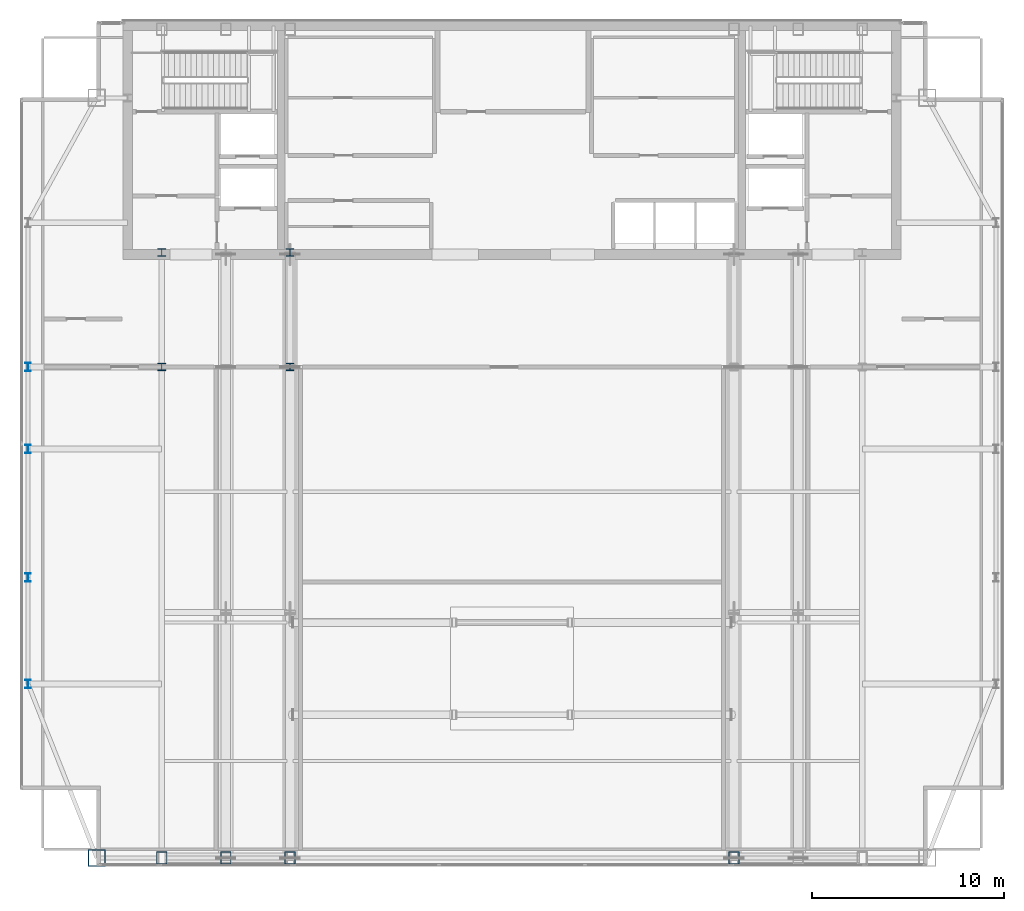
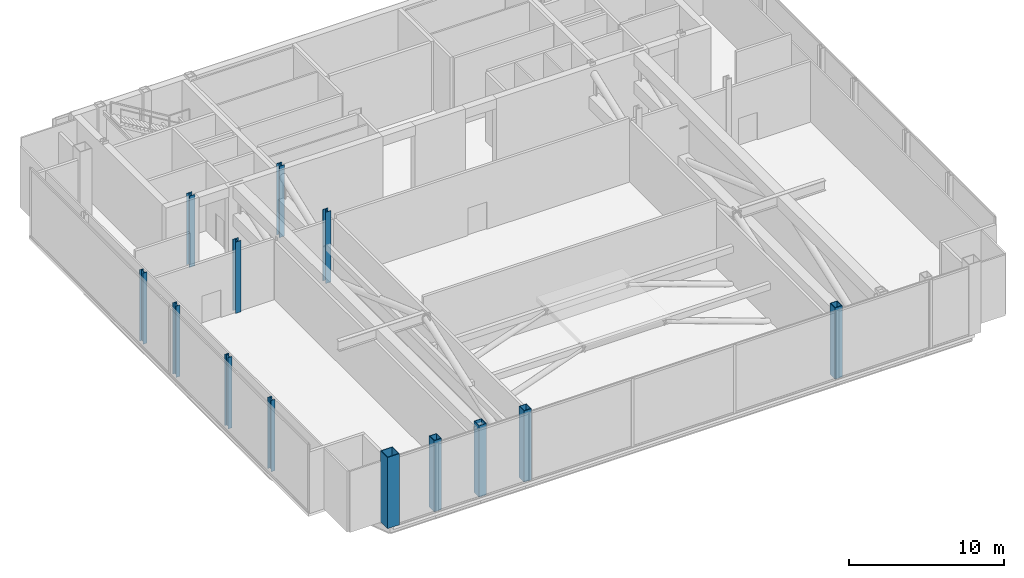
# One storey, part 1 of 26: 13 columns.
"""IFC4 building model written with IfcOpenShell, lengths in metres."""

from ifc_helpers import new_model, si_unit, direction, frame, origin, origin_2d, place, context, subcontext, project, spatial, hollow_rectangle, i_section, extrude, material, material_profile, profile_set, type_object, element, save


model = new_model("IFC4")

# Units and contexts
model_context = context("Model", 3, precision=1e-05, world=origin(), true_north=direction((0.0, 1.0)))
body_context = subcontext(model_context, "Body", "Model", "MODEL_VIEW")
ifc_project = project(units=[si_unit("LENGTHUNIT", "METRE"), si_unit("AREAUNIT", "SQUARE_METRE"), si_unit("VOLUMEUNIT", "CUBIC_METRE"), si_unit("PLANEANGLEUNIT", "RADIAN"), si_unit("MASSUNIT", "GRAM", prefix="KILO")], contexts=[model_context])

# Site, building, storey
site_placement = place(None, origin())
site = spatial("IfcSite", under=ifc_project, at=site_placement, CompositionType="ELEMENT")
building_placement = place(site_placement, origin())
building = spatial("IfcBuilding", under=site, at=building_placement, Name="Khoronbel Lancet Exchange", CompositionType="ELEMENT")
storey_placement = place(building_placement, frame((0.0, 0.0, 350.60009765625)))
storey = spatial("IfcBuildingStorey", under=building, at=storey_placement, Name="L91", CompositionType="ELEMENT", Elevation=350.60009765625)

# Columns
ifc_material_1 = material(Name="Steel S460", Category="steel")
ifc_material_profile_1 = material_profile(ifc_material_1, hollow_rectangle(XDim=0.550048828125, YDim=0.64990234375, WallThickness=0.0400390625, at=origin_2d()), Name="BOX 650x550x40")
ifc_profile_set_1 = profile_set([ifc_material_profile_1], Name="Steel S460")
column_type_1 = type_object("IfcColumnType", Name="COL-EC4", PredefinedType="COLUMN", material=ifc_profile_set_1)
for number, where, z_axis, x_axis, name in (
    (1, (18.22509765625, 10.14990234375, 0.0), (0.0, 0.0, 1.0), (1.0, 0.0, 0.0), "Structural column SC-W1 L91"),
    (2, (21.5625, 10.14990234375, 0.0), (0.0, 0.0, 1.0), (1.0, 0.0, 0.0), "Structural column SC-WM L91"),
    (3, (24.89990234375, 10.14990234375, 0.0), (0.0, 0.0, 1.0), (1.0, 0.0, 0.0), "Structural column SC-W2 L91"),
    (4, (48.0, 10.14990234375, 0.0), (0.0, 0.0, 1.0), (1.0, 0.0, 0.0), "Structural column SC-E1 L91"),
):
    element("IfcColumn", number, at=place(storey_placement, frame(where, z_axis=z_axis, x_axis=x_axis)), inside=storey, type_object=column_type_1, Name=name, PredefinedType="COLUMN", context=body_context, shape_type="SweptSolid", body=[
        extrude(hollow_rectangle(XDim=0.550048828125, YDim=0.64990234375, WallThickness=0.0400390625, at=origin_2d()), origin(), (0.0, 0.0, 1.0), 5.599853515625),
    ])
ifc_material_2 = material(Name="Steel S355", Category="steel")
ifc_material_profile_2 = material_profile(ifc_material_2, i_section(OverallWidth=0.39892578125, OverallDepth=0.39306640625, WebThickness=0.022705078125, FlangeThickness=0.03662109375, at=origin_2d()), Name="HD 400x287")
ifc_profile_set_2 = profile_set([ifc_material_profile_2], Name="Steel S355")
column_type_2 = type_object("IfcColumnType", Name="COL-IC4", PredefinedType="COLUMN", material=ifc_profile_set_2)
for number, where, z_axis, x_axis, name in (
    (5, (18.22509765625, 35.699951171875, 0.0), (0.0, 0.0, 1.0), (1.0, 0.0, 0.0), "Spine gravity column TC1 L91"),
    (6, (18.22509765625, 41.64990234375, 0.0), (0.0, 0.0, 1.0), (1.0, 0.0, 0.0), "Core-embedded steel column CTC1 L91"),
    (7, (24.89990234375, 35.699951171875, 0.0), (0.0, 0.0, 1.0), (1.0, 0.0, 0.0), "Spine gravity column TC2 L91"),
    (8, (24.89990234375, 41.64990234375, 0.0), (0.0, 0.0, 1.0), (1.0, 0.0, 0.0), "Core-embedded steel column CTC2 L91"),
):
    element("IfcColumn", number, at=place(storey_placement, frame(where, z_axis=z_axis, x_axis=x_axis)), inside=storey, type_object=column_type_2, Name=name, PredefinedType="COLUMN", context=body_context, shape_type="SweptSolid", body=[
        extrude(i_section(OverallWidth=0.39892578125, OverallDepth=0.39306640625, WebThickness=0.022705078125, FlangeThickness=0.03662109375, at=origin_2d()), origin(), (0.0, 0.0, 1.0), 5.599853515625),
    ])
ifc_material_profile_3 = material_profile(ifc_material_2, i_section(OverallWidth=0.300048828125, OverallDepth=0.449951171875, WebThickness=0.013916015625, FlangeThickness=0.02587890625, at=origin_2d()), Name="HEB 450")
ifc_profile_set_3 = profile_set([ifc_material_profile_3], Name="Steel S355")
column_type_3 = type_object("IfcColumnType", Name="COL-LC2", PredefinedType="COLUMN", material=ifc_profile_set_3)
for number, where, z_axis, x_axis, name in (
    (9, (11.27001953125, 19.199951171875, 0.0), (0.0, 0.0, 1.0), (1.0, 0.0, 0.0), "Structural column WC-1 L91"),
    (10, (11.27001953125, 24.75, 0.0), (0.0, 0.0, 1.0), (1.0, 0.0, 0.0), "Structural column WC-2 L91"),
    (11, (11.27001953125, 31.425048828125, 0.0), (0.0, 0.0, 1.0), (1.0, 0.0, 0.0), "Structural column WC-M L91"),
    (12, (11.27001953125, 35.699951171875, 0.0), (0.0, 0.0, 1.0), (1.0, 0.0, 0.0), "Structural column WC-3 L91"),
):
    element("IfcColumn", number, at=place(storey_placement, frame(where, z_axis=z_axis, x_axis=x_axis)), inside=storey, type_object=column_type_3, Name=name, PredefinedType="COLUMN", context=body_context, shape_type="SweptSolid", body=[
        extrude(i_section(OverallWidth=0.300048828125, OverallDepth=0.449951171875, WebThickness=0.013916015625, FlangeThickness=0.02587890625, at=origin_2d()), origin(), (0.0, 0.0, 1.0), 5.599853515625),
    ])
ifc_material_profile_4 = material_profile(ifc_material_1, hollow_rectangle(XDim=0.89990234375, YDim=0.89990234375, WallThickness=0.050048828125, at=origin_2d()), Name="BOX 900x900x50")
ifc_profile_set_4 = profile_set([ifc_material_profile_4], Name="Steel S460")
column_type_4 = type_object("IfcColumnType", Name="COL-MC7", PredefinedType="COLUMN", material=ifc_profile_set_4)
column_placement = place(storey_placement, frame((14.85009765625, 10.14990234375, 0.0), z_axis=(0.0, 0.0, 1.0), x_axis=(1.0, 0.0, 0.0)))
element("IfcColumn", 13, at=column_placement, inside=storey, type_object=column_type_4, Name="Structural column MC-SW L91", PredefinedType="COLUMN", context=body_context, shape_type="SweptSolid", body=[
    extrude(hollow_rectangle(XDim=0.89990234375, YDim=0.89990234375, WallThickness=0.050048828125, at=origin_2d()), origin(), (0.0, 0.0, 1.0), 5.599853515625),
])

save(model, "model.ifc")
